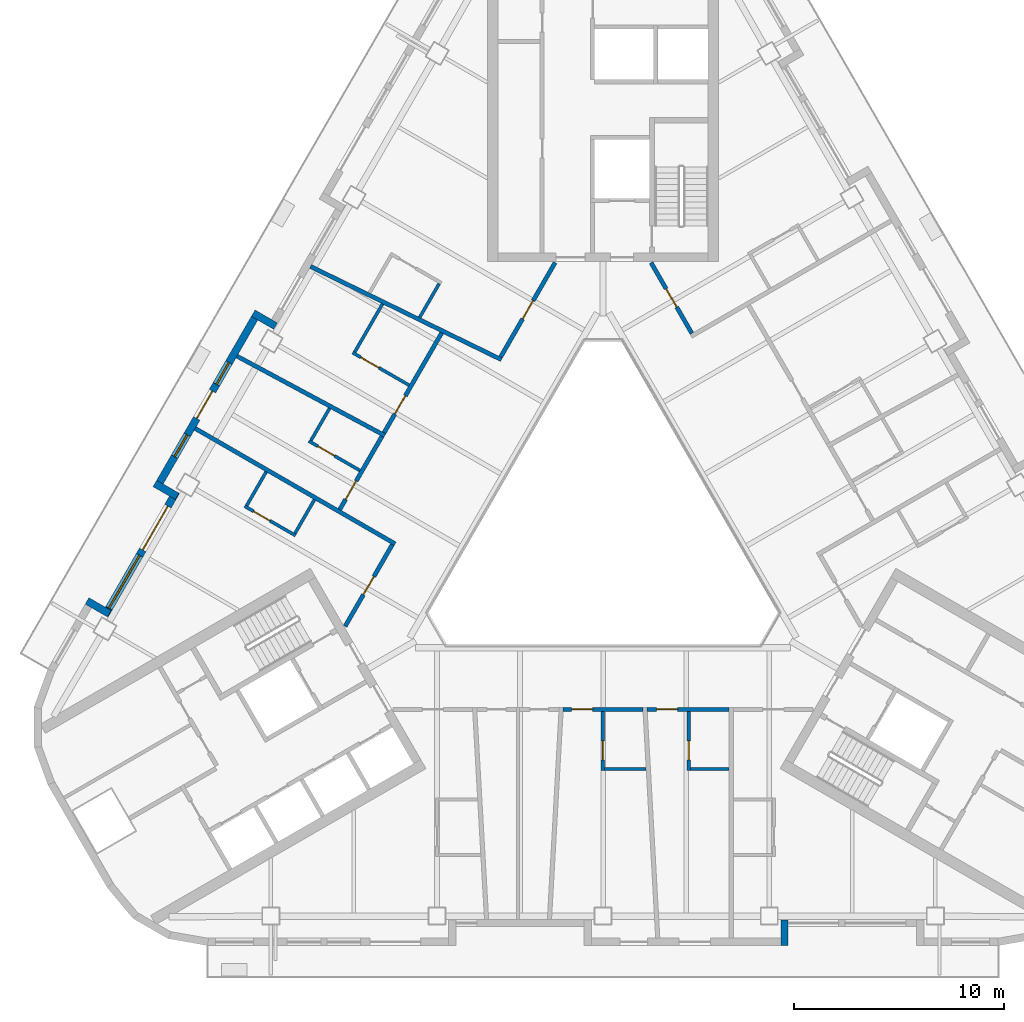
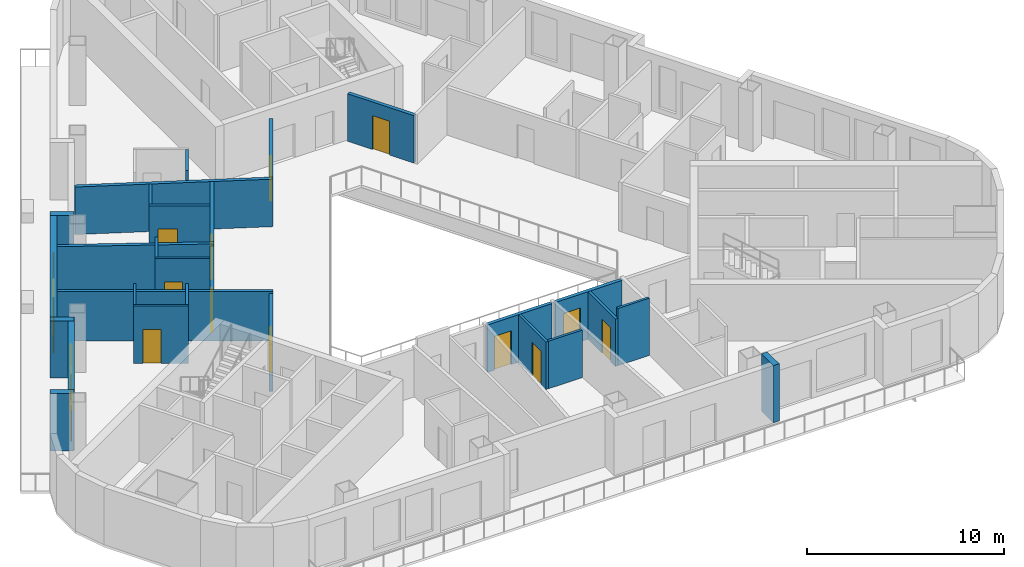
# One storey, part 4 of 14: 28 walls, 14 doors, 3 windows, 17 openings.
"""IFC4 building model written with IfcOpenShell, lengths in metres."""

from ifc_helpers import new_model, si_unit, direction, frame, frame_2d, origin, place, context, subcontext, project, spatial, rectangle, extrude, material, layer, layer_set, type_object, element, fill, save


model = new_model("IFC4")

# Units and contexts
model_context = context("Model", 3, precision=1e-05, world=origin(), true_north=direction((0.0, 1.0)))
body_context = subcontext(model_context, "Body", "Model", "MODEL_VIEW")
ifc_project = project(units=[si_unit("LENGTHUNIT", "METRE"), si_unit("AREAUNIT", "SQUARE_METRE"), si_unit("VOLUMEUNIT", "CUBIC_METRE"), si_unit("PLANEANGLEUNIT", "RADIAN"), si_unit("MASSUNIT", "GRAM", prefix="KILO")], contexts=[model_context])

# Site, building, storey
site_placement = place(None, origin())
site = spatial("IfcSite", under=ifc_project, at=site_placement, CompositionType="ELEMENT")
building_placement = place(site_placement, origin())
building = spatial("IfcBuilding", under=site, at=building_placement, Name="Apuvela Tower Hotel", CompositionType="ELEMENT")
storey_placement = place(building_placement, frame((0.0, 0.0, 150.300048828125)))
storey = spatial("IfcBuildingStorey", under=building, at=storey_placement, Name="L35", CompositionType="ELEMENT", Elevation=150.300048828125)

# Wall
ifc_material_1 = material(Name="Concrete C40/50, dark pigmented precast panel", Category="concrete")
ifc_layer_1 = layer(ifc_material_1, 0.35009765625)
ifc_layer_set_1 = layer_set([ifc_layer_1], Name="ENV-WALL-350")
wall_type_1 = type_object("IfcWallType", Name="ENV-WALL-350", PredefinedType="SOLIDWALL", material=ifc_layer_set_1)
wall_1_placement = place(storey_placement, frame((-15.580810546875, 9.8330078125, 0.0), z_axis=(0.0, 0.0, 1.0), x_axis=(-0.866055662726, 0.499947586314, 0.0)))
element("IfcWall", 1, at=wall_1_placement, inside=storey, type_object=wall_type_1, Name="External wall L35-04", PredefinedType="SOLIDWALL", context=body_context, shape_type="SweptSolid", body=[
    extrude(rectangle(XDim=1.220458984375, YDim=0.35009765625, at=frame_2d((0.6103515625, 0.0))), origin(), (0.0, 0.0, 1.0), 3.550048828125),
])

# Wall, openings, door, windows
wall_2_placement = place(storey_placement, frame((-16.3984375, 10.507080078125, 0.0), z_axis=(0.0, 0.0, 1.0), x_axis=(-0.499999142773, -0.866025898704, 0.0)))
wall_2 = element("IfcWall", 2, at=wall_2_placement, inside=storey, type_object=wall_type_1, Name="External wall L35-05", PredefinedType="SOLIDWALL", context=body_context, shape_type="SweptSolid", body=[
    extrude(rectangle(XDim=9.7001953125, YDim=0.35009765625, at=frame_2d((4.85009765625, 0.0))), origin(), (0.0, 0.0, 1.0), 3.550048828125),
])
opening_1_placement = place(wall_2_placement, frame((4.35009765625, 0.0, 0.0)))
opening_1 = element("IfcOpeningElement", 3, at=opening_1_placement, cuts=wall_2, Name="Opening BD15", PredefinedType="OPENING", context=body_context, shape_type="SweptSolid", body=[
    extrude(rectangle(XDim=1.5, YDim=2.39990234375, at=frame_2d((0.75, 1.199951171875))), frame((0.0, 0.18505859375, 0.0), z_axis=(0.0, -1.0, 0.0), x_axis=(1.0, 0.0, 0.0)), (0.0, 0.0, 1.0), 0.3701171875),
])
opening_2_placement = place(wall_2_placement, frame((2.77978515625, 0.0, 0.300048828125)))
opening_2 = element("IfcOpeningElement", 4, at=opening_2_placement, cuts=wall_2, Name="Opening WN12", PredefinedType="OPENING", context=body_context, shape_type="SweptSolid", body=[
    extrude(rectangle(XDim=1.199951171875, YDim=2.64990234375, at=frame_2d((0.60009765625, 1.324951171875))), frame((0.0, 0.18505859375, 0.0), z_axis=(0.0, -1.0, 0.0), x_axis=(1.0, 0.0, 0.0)), (0.0, 0.0, 1.0), 0.3701171875),
])
opening_3_placement = place(wall_2_placement, frame((6.750244140625, 0.0, 0.300048828125)))
opening_3 = element("IfcOpeningElement", 5, at=opening_3_placement, cuts=wall_2, Name="Opening WN12", PredefinedType="OPENING", context=body_context, shape_type="SweptSolid", body=[
    extrude(rectangle(XDim=1.199951171875, YDim=2.64990234375, at=frame_2d((0.60009765625, 1.324951171875))), frame((0.0, 0.18505859375, 0.0), z_axis=(0.0, -1.0, 0.0), x_axis=(1.0, 0.0, 0.0)), (0.0, 0.0, 1.0), 0.3701171875),
])
ifc_material_2 = material(Name="Aluminium 6063-T6, dark bronze anodised frame with dark tinted laminated glass", Category="aluminium")
door_type_1 = type_object("IfcDoorType", Name="ENV-DOOR-BALCONY-1500x2400", OperationType="SLIDING_TO_LEFT", PredefinedType="DOOR", material=ifc_material_2)
door_1_placement = place(opening_1_placement, frame((1.5, 0.0, 0.0), z_axis=(0.0, 0.0, 1.0), x_axis=(-1.0, 0.0, 0.0)))
door_1 = element("IfcDoor", 6, at=door_1_placement, inside=storey, type_object=door_type_1, Name="Balcony door BD15", OperationType="SLIDING_TO_LEFT", OverallHeight=2.39990234375, OverallWidth=1.5, PredefinedType="DOOR", context=body_context, shape_type="SweptSolid", body=[
    extrude(rectangle(XDim=1.5, YDim=2.39990234375, at=frame_2d((0.75, 1.199951171875))), frame((0.0, 0.02490234375, 0.0), z_axis=(0.0, -1.0, 0.0), x_axis=(1.0, 0.0, 0.0)), (0.0, 0.0, 1.0), 0.050048828125),
])
fill(opening_1, door_1)
ifc_material_3 = material(Name="Glass, dark tinted laminated insulated glazing unit", Category="glass")
window_type_1 = type_object("IfcWindowType", Name="ENV-WIN-1200x2650", PartitioningType="SINGLE_PANEL", PredefinedType="WINDOW", material=ifc_material_3)
window_1_placement = place(opening_2_placement, origin())
window_1 = element("IfcWindow", 7, at=window_1_placement, inside=storey, type_object=window_type_1, Name="Window WN12", OverallHeight=2.64990234375, OverallWidth=1.199951171875, PartitioningType="SINGLE_PANEL", PredefinedType="WINDOW", context=body_context, shape_type="SweptSolid", body=[
    extrude(rectangle(XDim=1.199951171875, YDim=2.64990234375, at=frame_2d((0.60009765625, 1.324951171875))), frame((0.0, 0.030029296875, 0.0), z_axis=(0.0, -1.0, 0.0), x_axis=(1.0, 0.0, 0.0)), (0.0, 0.0, 1.0), 0.06005859375),
])
fill(opening_2, window_1)
window_2_placement = place(opening_3_placement, origin())
window_2 = element("IfcWindow", 8, at=window_2_placement, inside=storey, type_object=window_type_1, Name="Window WN12", OverallHeight=2.64990234375, OverallWidth=1.199951171875, PartitioningType="SINGLE_PANEL", PredefinedType="WINDOW", context=body_context, shape_type="SweptSolid", body=[
    extrude(rectangle(XDim=1.199951171875, YDim=2.64990234375, at=frame_2d((0.60009765625, 1.324951171875))), frame((0.0, 0.030029296875, 0.0), z_axis=(0.0, -1.0, 0.0), x_axis=(1.0, 0.0, 0.0)), (0.0, 0.0, 1.0), 0.06005859375),
])
fill(opening_3, window_2)

# Wall
wall_3_placement = place(storey_placement, frame((-21.3125, 2.345703125, 0.0), z_axis=(0.0, 0.0, 1.0), x_axis=(0.866005645448, -0.500034220881, 0.0)))
element("IfcWall", 9, at=wall_3_placement, inside=storey, type_object=wall_type_1, Name="External wall L35-06", PredefinedType="SOLIDWALL", context=body_context, shape_type="SweptSolid", body=[
    extrude(rectangle(XDim=1.22021484375, YDim=0.35009765625, at=frame_2d((0.610107421875, 0.0))), origin(), (0.0, 0.0, 1.0), 3.550048828125),
])

# Wall, openings, door, window
wall_4_placement = place(storey_placement, frame((-20.30908203125, 1.93359375, 0.0), z_axis=(0.0, 0.0, 1.0), x_axis=(-0.499992114976, -0.866029956157, 0.0)))
wall_4 = element("IfcWall", 10, at=wall_4_placement, inside=storey, type_object=wall_type_1, Name="External wall L35-07", PredefinedType="SOLIDWALL", context=body_context, shape_type="SweptSolid", body=[
    extrude(rectangle(XDim=6.73974609375, YDim=0.35009765625, at=frame_2d((3.369873046875, 0.0))), origin(), (0.0, 0.0, 1.0), 3.550048828125),
])
opening_4_placement = place(wall_4_placement, frame((0.77001953125, 0.0, 0.0)))
opening_4 = element("IfcOpeningElement", 11, at=opening_4_placement, cuts=wall_4, Name="Opening BD24", PredefinedType="OPENING", context=body_context, shape_type="SweptSolid", body=[
    extrude(rectangle(XDim=2.39990234375, YDim=2.39990234375, at=frame_2d((1.199951171875, 1.199951171875))), frame((0.0, 0.18505859375, 0.0), z_axis=(0.0, -1.0, 0.0), x_axis=(1.0, 0.0, 0.0)), (0.0, 0.0, 1.0), 0.3701171875),
])
opening_5_placement = place(wall_4_placement, frame((3.47021484375, 0.0, 0.300048828125)))
opening_5 = element("IfcOpeningElement", 12, at=opening_5_placement, cuts=wall_4, Name="Opening WN29", PredefinedType="OPENING", context=body_context, shape_type="SweptSolid", body=[
    extrude(rectangle(XDim=2.89990234375, YDim=2.64990234375, at=frame_2d((1.449951171875, 1.324951171875))), frame((0.0, 0.18505859375, 0.0), z_axis=(0.0, -1.0, 0.0), x_axis=(1.0, 0.0, 0.0)), (0.0, 0.0, 1.0), 0.3701171875),
])
door_type_2 = type_object("IfcDoorType", Name="ENV-DOOR-BALCONY-2400x2400", OperationType="SLIDING_TO_LEFT", PredefinedType="DOOR", material=ifc_material_2)
door_2_placement = place(opening_4_placement, frame((2.39990234375, 0.0, 0.0), z_axis=(0.0, 0.0, 1.0), x_axis=(-1.0, 0.0, 0.0)))
door_2 = element("IfcDoor", 13, at=door_2_placement, inside=storey, type_object=door_type_2, Name="Balcony door BD24", OperationType="SLIDING_TO_LEFT", OverallHeight=2.39990234375, OverallWidth=2.39990234375, PredefinedType="DOOR", context=body_context, shape_type="SweptSolid", body=[
    extrude(rectangle(XDim=2.39990234375, YDim=2.39990234375, at=frame_2d((1.199951171875, 1.199951171875))), frame((0.0, 0.02490234375, 0.0), z_axis=(0.0, -1.0, 0.0), x_axis=(1.0, 0.0, 0.0)), (0.0, 0.0, 1.0), 0.050048828125),
])
fill(opening_4, door_2)
window_type_2 = type_object("IfcWindowType", Name="ENV-WIN-2900x2650", PartitioningType="SINGLE_PANEL", PredefinedType="WINDOW", material=ifc_material_3)
window_3_placement = place(opening_5_placement, origin())
window_3 = element("IfcWindow", 14, at=window_3_placement, inside=storey, type_object=window_type_2, Name="Window WN29", OverallHeight=2.64990234375, OverallWidth=2.89990234375, PartitioningType="SINGLE_PANEL", PredefinedType="WINDOW", context=body_context, shape_type="SweptSolid", body=[
    extrude(rectangle(XDim=2.89990234375, YDim=2.64990234375, at=frame_2d((1.449951171875, 1.324951171875))), frame((0.0, 0.030029296875, 0.0), z_axis=(0.0, -1.0, 0.0), x_axis=(1.0, 0.0, 0.0)), (0.0, 0.0, 1.0), 0.06005859375),
])
fill(opening_5, window_3)

# Walls
for number, where, z_axis, x_axis, name in (
    (15, (-23.48095703125, -3.85009765625, 0.0), (0.0, 0.0, 1.0), (-0.866092288191, 0.499884134912, 0.0), "External wall L35-08"),
    (16, (8.625, -19.6298828125, 0.0), (0.0, 0.0, 1.0), (0.0, 1.0, 0.0), "External wall L35-22"),
):
    element("IfcWall", number, at=place(storey_placement, frame(where, z_axis=z_axis, x_axis=x_axis)), inside=storey, type_object=wall_type_1, Name=name, PredefinedType="SOLIDWALL", context=body_context, shape_type="SweptSolid", body=[
        extrude(rectangle(XDim=1.219970703125, YDim=0.35009765625, at=frame_2d((0.60986328125, 0.0))), origin(), (0.0, 0.0, 1.0), 3.550048828125),
    ])
ifc_material_4 = material(Name="Gypsum board partition on twin steel stud", Category="steel")
ifc_layer_2 = layer(ifc_material_4, 0.199951171875)
ifc_layer_set_2 = layer_set([ifc_layer_2], Name="GST-PW1")
wall_type_2 = type_object("IfcWallType", Name="GST-PW1", PredefinedType="PARTITIONING", material=ifc_layer_set_2)
wall_5_placement = place(storey_placement, frame((-13.9111328125, 12.6650390625, 0.0), z_axis=(0.0, 0.0, 1.0), x_axis=(0.898639294085, -0.438688293811, 0.0)))
element("IfcWall", 17, at=wall_5_placement, inside=storey, type_object=wall_type_2, Name="L35 partition 08", PredefinedType="PARTITIONING", context=body_context, shape_type="SweptSolid", body=[
    extrude(rectangle(XDim=10.104248046875, YDim=0.199951171875, at=frame_2d((5.05224609375, 0.0))), origin(), (0.0, 0.0, 1.0), 2.949951171875),
])
wall_6_placement = place(storey_placement, frame((-17.412109375, 8.401611328125, 0.0), z_axis=(0.0, 0.0, 1.0), x_axis=(0.880917469793, -0.473269913912, 0.0)))
element("IfcWall", 18, at=wall_6_placement, inside=storey, type_object=wall_type_2, Name="L35 partition 09", PredefinedType="PARTITIONING", context=body_context, shape_type="SweptSolid", body=[
    extrude(rectangle(XDim=7.98388671875, YDim=0.199951171875, at=frame_2d((3.991943359375, 0.0))), origin(), (0.0, 0.0, 1.0), 3.06005859375),
])
wall_7_placement = place(storey_placement, frame((-19.39697265625, 4.96337890625, 0.0), z_axis=(0.0, 0.0, 1.0), x_axis=(0.866027479907, -0.499996404033, 0.0)))
element("IfcWall", 19, at=wall_7_placement, inside=storey, type_object=wall_type_2, Name="L35 partition 10", PredefinedType="PARTITIONING", context=body_context, shape_type="SweptSolid", body=[
    extrude(rectangle(XDim=10.97998046875, YDim=0.199951171875, at=frame_2d((5.489990234375, 0.0))), origin(), (0.0, 0.0, 1.0), 3.06005859375),
])

# Wall, opening, door
ifc_material_5 = material(Name="Gypsum board corridor wall on twin steel stud, acoustic", Category="steel")
ifc_layer_3 = layer(ifc_material_5, 0.199951171875)
ifc_layer_set_3 = layer_set([ifc_layer_3], Name="GST-PW2")
wall_type_3 = type_object("IfcWallType", Name="GST-PW2", PredefinedType="PARTITIONING", material=ifc_layer_set_3)
wall_8_placement = place(storey_placement, frame((1.894287109375, -8.39990234375, 0.0), z_axis=(0.0, 0.0, 1.0), x_axis=(-1.0, 0.0, 0.0)))
wall_8 = element("IfcWall", 20, at=wall_8_placement, inside=storey, type_object=wall_type_3, Name="L35 partition 18", PredefinedType="PARTITIONING", context=body_context, shape_type="SweptSolid", body=[
    extrude(rectangle(XDim=3.78857421875, YDim=0.199951171875, at=frame_2d((1.894287109375, 0.0))), origin(), (0.0, 0.0, 1.0), 2.949951171875),
])
opening_6_placement = place(wall_8_placement, frame((2.3857421875, 0.0, 0.0)))
opening_6 = element("IfcOpeningElement", 21, at=opening_6_placement, cuts=wall_8, Name="Opening GD12-06", PredefinedType="OPENING", context=body_context, shape_type="SweptSolid", body=[
    extrude(rectangle(XDim=1.0, YDim=2.10009765625, at=frame_2d((0.5, 1.050048828125))), frame((0.0, 0.10986328125, 0.0), z_axis=(0.0, -1.0, 0.0), x_axis=(1.0, 0.0, 0.0)), (0.0, 0.0, 1.0), 0.219970703125),
])
ifc_material_6 = material(Name="Timber door leaf in steel frame", Category="steel")
door_type_3 = type_object("IfcDoorType", Name="GST-D1", OperationType="NOTDEFINED", PredefinedType="DOOR", material=ifc_material_6)
door_3_placement = place(opening_6_placement, origin())
door_3 = element("IfcDoor", 22, at=door_3_placement, inside=storey, type_object=door_type_3, Name="Door L35-06", OperationType="SINGLE_SWING_RIGHT", OverallHeight=2.10009765625, OverallWidth=1.0, PredefinedType="DOOR", context=body_context, shape_type="SweptSolid", body=[
    extrude(rectangle(XDim=1.0, YDim=2.10009765625, at=frame_2d((0.5, 1.050048828125))), frame((0.0, 0.02490234375, 0.0), z_axis=(0.0, -1.0, 0.0), x_axis=(1.0, 0.0, 0.0)), (0.0, 0.0, 1.0), 0.050048828125),
])
fill(opening_6, door_3)

wall_9_placement = place(storey_placement, frame((6.0, -8.39990234375, 0.0), z_axis=(0.0, 0.0, 1.0), x_axis=(-1.0, 0.0, 0.0)))
wall_9 = element("IfcWall", 23, at=wall_9_placement, inside=storey, type_object=wall_type_3, Name="L35 partition 21", PredefinedType="PARTITIONING", context=body_context, shape_type="SweptSolid", body=[
    extrude(rectangle(XDim=3.905517578125, YDim=0.199951171875, at=frame_2d((1.95263671875, 0.0))), origin(), (0.0, 0.0, 1.0), 2.949951171875),
])
opening_7_placement = place(wall_9_placement, frame((2.449951171875, 0.0, 0.0)))
opening_7 = element("IfcOpeningElement", 24, at=opening_7_placement, cuts=wall_9, Name="Opening GD12-08", PredefinedType="OPENING", context=body_context, shape_type="SweptSolid", body=[
    extrude(rectangle(XDim=1.0, YDim=2.10009765625, at=frame_2d((0.5, 1.050048828125))), frame((0.0, 0.10986328125, 0.0), z_axis=(0.0, -1.0, 0.0), x_axis=(1.0, 0.0, 0.0)), (0.0, 0.0, 1.0), 0.219970703125),
])
door_4_placement = place(opening_7_placement, origin())
door_4 = element("IfcDoor", 25, at=door_4_placement, inside=storey, type_object=door_type_3, Name="Door L35-08", OperationType="SINGLE_SWING_RIGHT", OverallHeight=2.10009765625, OverallWidth=1.0, PredefinedType="DOOR", context=body_context, shape_type="SweptSolid", body=[
    extrude(rectangle(XDim=1.0, YDim=2.10009765625, at=frame_2d((0.5, 1.050048828125))), frame((0.0, 0.02490234375, 0.0), z_axis=(0.0, -1.0, 0.0), x_axis=(1.0, 0.0, 0.0)), (0.0, 0.0, 1.0), 0.050048828125),
])
fill(opening_7, door_4)

wall_10_placement = place(storey_placement, frame((2.280517578125, 12.85009765625, 0.0), z_axis=(0.0, 0.0, 1.0), x_axis=(0.500008716408, -0.866020371305, 0.0)))
wall_10 = element("IfcWall", 26, at=wall_10_placement, inside=storey, type_object=wall_type_3, Name="L35 partition 38", PredefinedType="PARTITIONING", context=body_context, shape_type="SweptSolid", body=[
    extrude(rectangle(XDim=3.88818359375, YDim=0.199951171875, at=frame_2d((1.944091796875, 0.0))), origin(), (0.0, 0.0, 1.0), 2.949951171875),
])
opening_8_placement = place(wall_10_placement, frame((1.444091796875, 0.0, 0.0)))
opening_8 = element("IfcOpeningElement", 27, at=opening_8_placement, cuts=wall_10, Name="Opening GD12-18", PredefinedType="OPENING", context=body_context, shape_type="SweptSolid", body=[
    extrude(rectangle(XDim=1.0, YDim=2.10009765625, at=frame_2d((0.5, 1.050048828125))), frame((0.0, 0.10986328125, 0.0), z_axis=(0.0, -1.0, 0.0), x_axis=(1.0, 0.0, 0.0)), (0.0, 0.0, 1.0), 0.219970703125),
])
door_5_placement = place(opening_8_placement, origin())
door_5 = element("IfcDoor", 28, at=door_5_placement, inside=storey, type_object=door_type_3, Name="Door L35-18", OperationType="SINGLE_SWING_RIGHT", OverallHeight=2.10009765625, OverallWidth=1.0, PredefinedType="DOOR", context=body_context, shape_type="SweptSolid", body=[
    extrude(rectangle(XDim=1.0, YDim=2.10009765625, at=frame_2d((0.5, 1.050048828125))), frame((0.0, 0.02490234375, 0.0), z_axis=(0.0, -1.0, 0.0), x_axis=(1.0, 0.0, 0.0)), (0.0, 0.0, 1.0), 0.050048828125),
])
fill(opening_8, door_5)

wall_11_placement = place(storey_placement, frame((-4.87109375, 8.36328125, 0.0), z_axis=(0.0, 0.0, 1.0), x_axis=(0.500016142392, 0.86601608377, 0.0)))
wall_11 = element("IfcWall", 29, at=wall_11_placement, inside=storey, type_object=wall_type_3, Name="L35 partition 42", PredefinedType="PARTITIONING", context=body_context, shape_type="SweptSolid", body=[
    extrude(rectangle(XDim=5.180908203125, YDim=0.199951171875, at=frame_2d((2.59033203125, 0.0))), origin(), (0.0, 0.0, 1.0), 2.949951171875),
])
opening_9_placement = place(wall_11_placement, frame((2.09033203125, 0.0, 0.0)))
opening_9 = element("IfcOpeningElement", 30, at=opening_9_placement, cuts=wall_11, Name="Opening GD12-20", PredefinedType="OPENING", context=body_context, shape_type="SweptSolid", body=[
    extrude(rectangle(XDim=1.0, YDim=2.10009765625, at=frame_2d((0.5, 1.050048828125))), frame((0.0, 0.10986328125, 0.0), z_axis=(0.0, -1.0, 0.0), x_axis=(1.0, 0.0, 0.0)), (0.0, 0.0, 1.0), 0.219970703125),
])
door_6_placement = place(opening_9_placement, origin())
door_6 = element("IfcDoor", 31, at=door_6_placement, inside=storey, type_object=door_type_3, Name="Door L35-20", OperationType="SINGLE_SWING_LEFT", OverallHeight=2.10009765625, OverallWidth=1.0, PredefinedType="DOOR", context=body_context, shape_type="SweptSolid", body=[
    extrude(rectangle(XDim=1.0, YDim=2.10009765625, at=frame_2d((0.5, 1.050048828125))), frame((0.0, 0.02490234375, 0.0), z_axis=(0.0, -1.0, 0.0), x_axis=(1.0, 0.0, 0.0)), (0.0, 0.0, 1.0), 0.050048828125),
])
fill(opening_9, door_6)

wall_12_placement = place(storey_placement, frame((-10.4169921875, 4.757080078125, 0.0), z_axis=(0.0, 0.0, 1.0), x_axis=(0.50000105825, 0.866024792803, 0.0)))
wall_12 = element("IfcWall", 32, at=wall_12_placement, inside=storey, type_object=wall_type_3, Name="L35 partition 46", PredefinedType="PARTITIONING", context=body_context, shape_type="SweptSolid", body=[
    extrude(rectangle(XDim=5.48681640625, YDim=0.199951171875, at=frame_2d((2.743408203125, 0.0))), origin(), (0.0, 0.0, 1.0), 2.949951171875),
])
opening_10_placement = place(wall_12_placement, frame((1.02978515625, 0.0, 0.0)))
opening_10 = element("IfcOpeningElement", 33, at=opening_10_placement, cuts=wall_12, Name="Opening GD12-22", PredefinedType="OPENING", context=body_context, shape_type="SweptSolid", body=[
    extrude(rectangle(XDim=1.0, YDim=2.10009765625, at=frame_2d((0.5, 1.050048828125))), frame((0.0, 0.10986328125, 0.0), z_axis=(0.0, -1.0, 0.0), x_axis=(1.0, 0.0, 0.0)), (0.0, 0.0, 1.0), 0.219970703125),
])
door_7_placement = place(opening_10_placement, origin())
door_7 = element("IfcDoor", 34, at=door_7_placement, inside=storey, type_object=door_type_3, Name="Door L35-22", OperationType="SINGLE_SWING_LEFT", OverallHeight=2.10009765625, OverallWidth=1.0, PredefinedType="DOOR", context=body_context, shape_type="SweptSolid", body=[
    extrude(rectangle(XDim=1.0, YDim=2.10009765625, at=frame_2d((0.5, 1.050048828125))), frame((0.0, 0.02490234375, 0.0), z_axis=(0.0, -1.0, 0.0), x_axis=(1.0, 0.0, 0.0)), (0.0, 0.0, 1.0), 0.050048828125),
])
fill(opening_10, door_7)

wall_13_placement = place(storey_placement, frame((-12.522705078125, 1.110107421875, 0.0), z_axis=(0.0, 0.0, 1.0), x_axis=(0.500021015799, 0.866013269967, 0.0)))
wall_13 = element("IfcWall", 35, at=wall_13_placement, inside=storey, type_object=wall_type_3, Name="L35 partition 49", PredefinedType="PARTITIONING", context=body_context, shape_type="SweptSolid", body=[
    extrude(rectangle(XDim=4.010986328125, YDim=0.199951171875, at=frame_2d((2.00537109375, 0.0))), origin(), (0.0, 0.0, 1.0), 2.949951171875),
])
opening_11_placement = place(wall_13_placement, frame((0.55810546875, 0.0, 0.0)))
opening_11 = element("IfcOpeningElement", 36, at=opening_11_placement, cuts=wall_13, Name="Opening GD12-24", PredefinedType="OPENING", context=body_context, shape_type="SweptSolid", body=[
    extrude(rectangle(XDim=1.0, YDim=2.10009765625, at=frame_2d((0.5, 1.050048828125))), frame((0.0, 0.10986328125, 0.0), z_axis=(0.0, -1.0, 0.0), x_axis=(1.0, 0.0, 0.0)), (0.0, 0.0, 1.0), 0.219970703125),
])
door_8_placement = place(opening_11_placement, origin())
door_8 = element("IfcDoor", 37, at=door_8_placement, inside=storey, type_object=door_type_3, Name="Door L35-24", OperationType="SINGLE_SWING_LEFT", OverallHeight=2.10009765625, OverallWidth=1.0, PredefinedType="DOOR", context=body_context, shape_type="SweptSolid", body=[
    extrude(rectangle(XDim=1.0, YDim=2.10009765625, at=frame_2d((0.5, 1.050048828125))), frame((0.0, 0.02490234375, 0.0), z_axis=(0.0, -1.0, 0.0), x_axis=(1.0, 0.0, 0.0)), (0.0, 0.0, 1.0), 0.050048828125),
])
fill(opening_11, door_8)

wall_14_placement = place(storey_placement, frame((-12.268798828125, -4.449951171875, 0.0), z_axis=(0.0, 0.0, 1.0), x_axis=(0.500000259638, 0.866025253883, 0.0)))
wall_14 = element("IfcWall", 38, at=wall_14_placement, inside=storey, type_object=wall_type_3, Name="L35 partition 52", PredefinedType="PARTITIONING", context=body_context, shape_type="SweptSolid", body=[
    extrude(rectangle(XDim=4.48828125, YDim=0.199951171875, at=frame_2d((2.244140625, 0.0))), origin(), (0.0, 0.0, 1.0), 2.949951171875),
])
opening_12_placement = place(wall_14_placement, frame((1.744140625, 0.0, 0.0)))
opening_12 = element("IfcOpeningElement", 39, at=opening_12_placement, cuts=wall_14, Name="Opening GD12-26", PredefinedType="OPENING", context=body_context, shape_type="SweptSolid", body=[
    extrude(rectangle(XDim=1.0, YDim=2.10009765625, at=frame_2d((0.5, 1.050048828125))), frame((0.0, 0.10986328125, 0.0), z_axis=(0.0, -1.0, 0.0), x_axis=(1.0, 0.0, 0.0)), (0.0, 0.0, 1.0), 0.219970703125),
])
door_9_placement = place(opening_12_placement, origin())
door_9 = element("IfcDoor", 40, at=door_9_placement, inside=storey, type_object=door_type_3, Name="Door L35-26", OperationType="SINGLE_SWING_RIGHT", OverallHeight=2.10009765625, OverallWidth=1.0, PredefinedType="DOOR", context=body_context, shape_type="SweptSolid", body=[
    extrude(rectangle(XDim=1.0, YDim=2.10009765625, at=frame_2d((0.5, 1.050048828125))), frame((0.0, 0.02490234375, 0.0), z_axis=(0.0, -1.0, 0.0), x_axis=(1.0, 0.0, 0.0)), (0.0, 0.0, 1.0), 0.050048828125),
])
fill(opening_12, door_9)

ifc_material_7 = material(Name="Moisture-resistant gypsum board wet wall on steel stud", Category="steel")
ifc_layer_4 = layer(ifc_material_7, 0.14990234375)
ifc_layer_set_4 = layer_set([ifc_layer_4], Name="GST-PW3")
wall_type_4 = type_object("IfcWallType", Name="GST-PW3", PredefinedType="PARTITIONING", material=ifc_layer_set_4)
wall_15_placement = place(storey_placement, frame((-0.013671875, -8.5, 0.0), z_axis=(0.0, 0.0, 1.0), x_axis=(0.0, -1.0, 0.0)))
wall_15 = element("IfcWall", 41, at=wall_15_placement, inside=storey, type_object=wall_type_4, Name="L35 partition 19", PredefinedType="PARTITIONING", context=body_context, shape_type="SweptSolid", body=[
    extrude(rectangle(XDim=2.800048828125, YDim=0.14990234375, at=frame_2d((1.39990234375, 0.0))), origin(), (0.0, 0.0, 1.0), 2.949951171875),
])
opening_13_placement = place(wall_15_placement, frame((1.39990234375, 0.0, 0.0)))
opening_13 = element("IfcOpeningElement", 42, at=opening_13_placement, cuts=wall_15, Name="Opening GD12-05", PredefinedType="OPENING", context=body_context, shape_type="SweptSolid", body=[
    extrude(rectangle(XDim=0.89990234375, YDim=2.10009765625, at=frame_2d((0.449951171875, 1.050048828125))), frame((0.0, 0.0849609375, 0.0), z_axis=(0.0, -1.0, 0.0), x_axis=(1.0, 0.0, 0.0)), (0.0, 0.0, 1.0), 0.169921875),
])
door_type_4 = type_object("IfcDoorType", Name="GST-D2", OperationType="NOTDEFINED", PredefinedType="DOOR", material=ifc_material_6)
door_10_placement = place(opening_13_placement, origin())
door_10 = element("IfcDoor", 43, at=door_10_placement, inside=storey, type_object=door_type_4, Name="Door L35-05", OperationType="SINGLE_SWING_RIGHT", OverallHeight=2.10009765625, OverallWidth=0.89990234375, PredefinedType="DOOR", context=body_context, shape_type="SweptSolid", body=[
    extrude(rectangle(XDim=0.89990234375, YDim=2.10009765625, at=frame_2d((0.449951171875, 1.050048828125))), frame((0.0, 0.02490234375, 0.0), z_axis=(0.0, -1.0, 0.0), x_axis=(1.0, 0.0, 0.0)), (0.0, 0.0, 1.0), 0.050048828125),
])
fill(opening_13, door_10)

# Wall
wall_16_placement = place(storey_placement, frame((0.061279296875, -11.22509765625, 0.0), z_axis=(0.0, 0.0, 1.0), x_axis=(1.0, 0.0, 0.0)))
element("IfcWall", 44, at=wall_16_placement, inside=storey, type_object=wall_type_4, Name="L35 partition 20", PredefinedType="PARTITIONING", context=body_context, shape_type="SweptSolid", body=[
    extrude(rectangle(XDim=1.990234375, YDim=0.14990234375, at=frame_2d((0.9951171875, 0.0))), origin(), (0.0, 0.0, 1.0), 2.949951171875),
])

# Wall, opening, door
wall_17_placement = place(storey_placement, frame((4.074951171875, -8.5, 0.0), z_axis=(0.0, 0.0, 1.0), x_axis=(0.0, -1.0, 0.0)))
wall_17 = element("IfcWall", 45, at=wall_17_placement, inside=storey, type_object=wall_type_4, Name="L35 partition 22", PredefinedType="PARTITIONING", context=body_context, shape_type="SweptSolid", body=[
    extrude(rectangle(XDim=2.800048828125, YDim=0.14990234375, at=frame_2d((1.39990234375, 0.0))), origin(), (0.0, 0.0, 1.0), 2.949951171875),
])
opening_14_placement = place(wall_17_placement, frame((1.39990234375, 0.0, 0.0)))
opening_14 = element("IfcOpeningElement", 46, at=opening_14_placement, cuts=wall_17, Name="Opening GD12-07", PredefinedType="OPENING", context=body_context, shape_type="SweptSolid", body=[
    extrude(rectangle(XDim=0.89990234375, YDim=2.10009765625, at=frame_2d((0.449951171875, 1.050048828125))), frame((0.0, 0.0849609375, 0.0), z_axis=(0.0, -1.0, 0.0), x_axis=(1.0, 0.0, 0.0)), (0.0, 0.0, 1.0), 0.169921875),
])
door_11_placement = place(opening_14_placement, origin())
door_11 = element("IfcDoor", 47, at=door_11_placement, inside=storey, type_object=door_type_4, Name="Door L35-07", OperationType="SINGLE_SWING_RIGHT", OverallHeight=2.10009765625, OverallWidth=0.89990234375, PredefinedType="DOOR", context=body_context, shape_type="SweptSolid", body=[
    extrude(rectangle(XDim=0.89990234375, YDim=2.10009765625, at=frame_2d((0.449951171875, 1.050048828125))), frame((0.0, 0.02490234375, 0.0), z_axis=(0.0, -1.0, 0.0), x_axis=(1.0, 0.0, 0.0)), (0.0, 0.0, 1.0), 0.050048828125),
])
fill(opening_14, door_11)

# Walls
wall_18_placement = place(storey_placement, frame((4.14990234375, -11.22509765625, 0.0), z_axis=(0.0, 0.0, 1.0), x_axis=(1.0, 0.0, 0.0)))
element("IfcWall", 48, at=wall_18_placement, inside=storey, type_object=wall_type_4, Name="L35 partition 23", PredefinedType="PARTITIONING", context=body_context, shape_type="SweptSolid", body=[
    extrude(rectangle(XDim=1.85009765625, YDim=0.14990234375, at=frame_2d((0.925048828125, 0.0))), origin(), (0.0, 0.0, 1.0), 3.550048828125),
])
wall_19_placement = place(storey_placement, frame((-7.79443359375, 11.849609375, 0.0), z_axis=(0.0, 0.0, 1.0), x_axis=(-0.500003477455, -0.866023396066, 0.0)))
element("IfcWall", 49, at=wall_19_placement, inside=storey, type_object=wall_type_4, Name="L35 partition 45", PredefinedType="PARTITIONING", context=body_context, shape_type="SweptSolid", body=[
    extrude(rectangle(XDim=1.85498046875, YDim=0.14990234375, at=frame_2d((0.927490234375, 0.0))), origin(), (0.0, 0.0, 1.0), 3.550048828125),
])

# Wall, opening, door
wall_20_placement = place(storey_placement, frame((-11.910888671875, 8.569580078125, 0.0), z_axis=(0.0, 0.0, 1.0), x_axis=(0.86600983753, -0.500026960575, 0.0)))
wall_20 = element("IfcWall", 50, at=wall_20_placement, inside=storey, type_object=wall_type_4, Name="L35 partition 47", PredefinedType="PARTITIONING", context=body_context, shape_type="SweptSolid", body=[
    extrude(rectangle(XDim=3.099853515625, YDim=0.14990234375, at=frame_2d((1.5498046875, 0.0))), origin(), (0.0, 0.0, 1.0), 3.550048828125),
])
opening_15_placement = place(wall_20_placement, frame((0.449951171875, 0.0, 0.0)))
opening_15 = element("IfcOpeningElement", 51, at=opening_15_placement, cuts=wall_20, Name="Opening GD12-21", PredefinedType="OPENING", context=body_context, shape_type="SweptSolid", body=[
    extrude(rectangle(XDim=1.0, YDim=2.10009765625, at=frame_2d((0.5, 1.050048828125))), frame((0.0, 0.0849609375, 0.0), z_axis=(0.0, -1.0, 0.0), x_axis=(1.0, 0.0, 0.0)), (0.0, 0.0, 1.0), 0.169921875),
])
door_12_placement = place(opening_15_placement, origin())
door_12 = element("IfcDoor", 52, at=door_12_placement, inside=storey, type_object=door_type_3, Name="Door L35-21", OperationType="SINGLE_SWING_LEFT", OverallHeight=2.10009765625, OverallWidth=1.0, PredefinedType="DOOR", context=body_context, shape_type="SweptSolid", body=[
    extrude(rectangle(XDim=1.0, YDim=2.10009765625, at=frame_2d((0.5, 1.050048828125))), frame((0.0, 0.02490234375, 0.0), z_axis=(0.0, -1.0, 0.0), x_axis=(1.0, 0.0, 0.0)), (0.0, 0.0, 1.0), 0.050048828125),
])
fill(opening_15, door_12)

# Wall
wall_21_placement = place(storey_placement, frame((-10.48876953125, 10.883056640625, 0.0), z_axis=(0.0, 0.0, 1.0), x_axis=(-0.500018690203, -0.866014612722, 0.0)))
element("IfcWall", 53, at=wall_21_placement, inside=storey, type_object=wall_type_4, Name="L35 partition 48", PredefinedType="PARTITIONING", context=body_context, shape_type="SweptSolid", body=[
    extrude(rectangle(XDim=2.6396484375, YDim=0.14990234375, at=frame_2d((1.31982421875, 0.0))), origin(), (0.0, 0.0, 1.0), 2.949951171875),
])

# Wall, opening, door
wall_22_placement = place(storey_placement, frame((-13.99267578125, 4.364013671875, 0.0), z_axis=(0.0, 0.0, 1.0), x_axis=(0.866056369097, -0.49994636267, 0.0)))
wall_22 = element("IfcWall", 54, at=wall_22_placement, inside=storey, type_object=wall_type_4, Name="L35 partition 50", PredefinedType="PARTITIONING", context=body_context, shape_type="SweptSolid", body=[
    extrude(rectangle(XDim=2.800048828125, YDim=0.14990234375, at=frame_2d((1.39990234375, 0.0))), origin(), (0.0, 0.0, 1.0), 3.550048828125),
])
opening_16_placement = place(wall_22_placement, frame((0.5, 0.0, 0.0)))
opening_16 = element("IfcOpeningElement", 55, at=opening_16_placement, cuts=wall_22, Name="Opening GD12-23", PredefinedType="OPENING", context=body_context, shape_type="SweptSolid", body=[
    extrude(rectangle(XDim=0.89990234375, YDim=2.10009765625, at=frame_2d((0.449951171875, 1.050048828125))), frame((0.0, 0.0849609375, 0.0), z_axis=(0.0, -1.0, 0.0), x_axis=(1.0, 0.0, 0.0)), (0.0, 0.0, 1.0), 0.169921875),
])
door_13_placement = place(opening_16_placement, origin())
door_13 = element("IfcDoor", 56, at=door_13_placement, inside=storey, type_object=door_type_4, Name="Door L35-23", OperationType="SINGLE_SWING_LEFT", OverallHeight=2.10009765625, OverallWidth=0.89990234375, PredefinedType="DOOR", context=body_context, shape_type="SweptSolid", body=[
    extrude(rectangle(XDim=0.89990234375, YDim=2.10009765625, at=frame_2d((0.449951171875, 1.050048828125))), frame((0.0, 0.02490234375, 0.0), z_axis=(0.0, -1.0, 0.0), x_axis=(1.0, 0.0, 0.0)), (0.0, 0.0, 1.0), 0.050048828125),
])
fill(opening_16, door_13)

# Wall
wall_23_placement = place(storey_placement, frame((-13.0068359375, 5.92138671875, 0.0), z_axis=(0.0, 0.0, 1.0), x_axis=(-0.500033502416, -0.866006060292, 0.0)))
element("IfcWall", 57, at=wall_23_placement, inside=storey, type_object=wall_type_4, Name="L35 partition 51", PredefinedType="PARTITIONING", context=body_context, shape_type="SweptSolid", body=[
    extrude(rectangle(XDim=1.7666015625, YDim=0.14990234375, at=frame_2d((0.88330078125, 0.0))), origin(), (0.0, 0.0, 1.0), 3.550048828125),
])

# Wall, opening, door
wall_24_placement = place(storey_placement, frame((-17.04931640625, 1.269775390625, 0.0), z_axis=(0.0, 0.0, 1.0), x_axis=(0.866034573852, -0.49998411664, 0.0)))
wall_24 = element("IfcWall", 58, at=wall_24_placement, inside=storey, type_object=wall_type_4, Name="L35 partition 53", PredefinedType="PARTITIONING", context=body_context, shape_type="SweptSolid", body=[
    extrude(rectangle(XDim=2.7998046875, YDim=0.14990234375, at=frame_2d((1.39990234375, 0.0))), origin(), (0.0, 0.0, 1.0), 3.550048828125),
])
opening_17_placement = place(wall_24_placement, frame((0.5, 0.0, 0.0)))
opening_17 = element("IfcOpeningElement", 59, at=opening_17_placement, cuts=wall_24, Name="Opening GD12-25", PredefinedType="OPENING", context=body_context, shape_type="SweptSolid", body=[
    extrude(rectangle(XDim=0.89990234375, YDim=2.10009765625, at=frame_2d((0.449951171875, 1.050048828125))), frame((0.0, 0.0849609375, 0.0), z_axis=(0.0, -1.0, 0.0), x_axis=(1.0, 0.0, 0.0)), (0.0, 0.0, 1.0), 0.169921875),
])
door_14_placement = place(opening_17_placement, origin())
door_14 = element("IfcDoor", 60, at=door_14_placement, inside=storey, type_object=door_type_4, Name="Door L35-25", OperationType="SINGLE_SWING_LEFT", OverallHeight=2.10009765625, OverallWidth=0.89990234375, PredefinedType="DOOR", context=body_context, shape_type="SweptSolid", body=[
    extrude(rectangle(XDim=0.89990234375, YDim=2.10009765625, at=frame_2d((0.449951171875, 1.050048828125))), frame((0.0, 0.02490234375, 0.0), z_axis=(0.0, -1.0, 0.0), x_axis=(1.0, 0.0, 0.0)), (0.0, 0.0, 1.0), 0.050048828125),
])
fill(opening_17, door_14)

# Walls
for number, where, z_axis, x_axis, name in (
    (61, (-16.021728515625, 2.8994140625, 0.0), (0.0, 0.0, 1.0), (-0.499985172903, -0.866033964044, 0.0), "L35 partition 54"),
    (62, (-13.726806640625, 1.574462890625, 0.0), (0.0, 0.0, 1.0), (-0.499985172903, -0.866033964044, 0.0), "L35 partition 55"),
):
    element("IfcWall", number, at=place(storey_placement, frame(where, z_axis=z_axis, x_axis=x_axis)), inside=storey, type_object=wall_type_4, Name=name, PredefinedType="PARTITIONING", context=body_context, shape_type="SweptSolid", body=[
        extrude(rectangle(XDim=1.85009765625, YDim=0.14990234375, at=frame_2d((0.925048828125, 0.0))), origin(), (0.0, 0.0, 1.0), 3.550048828125),
    ])

save(model, "model.ifc")
